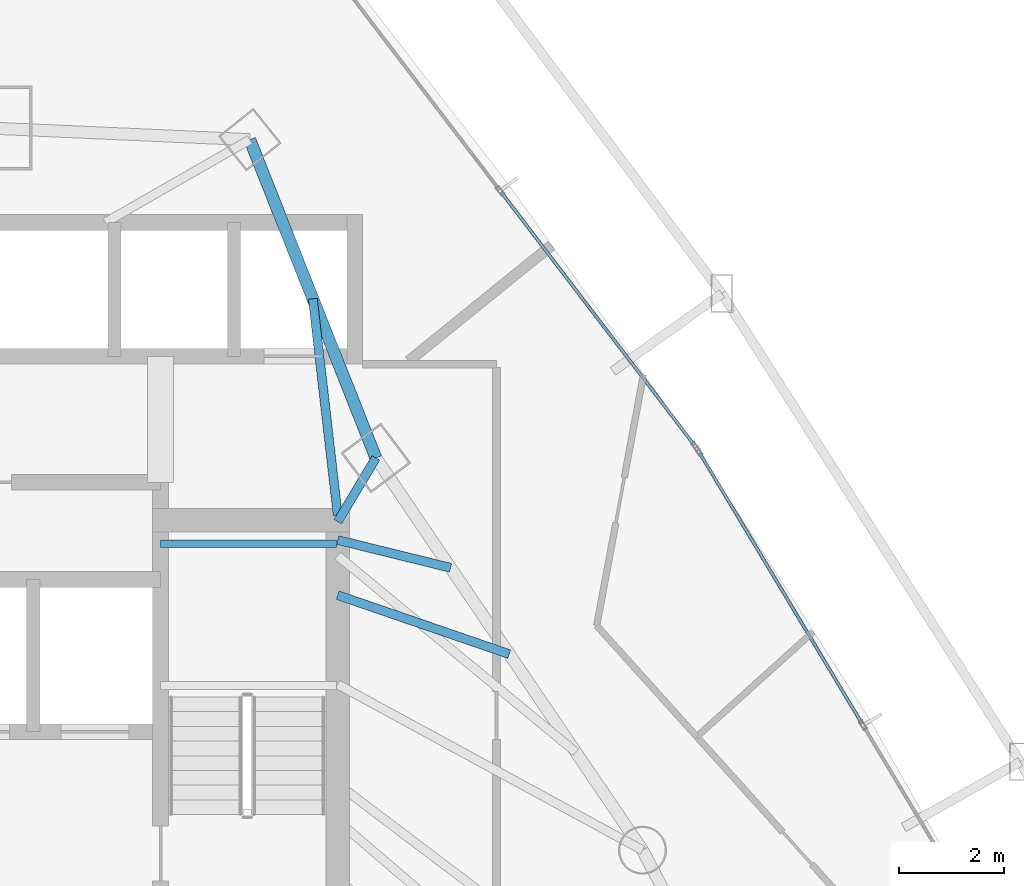
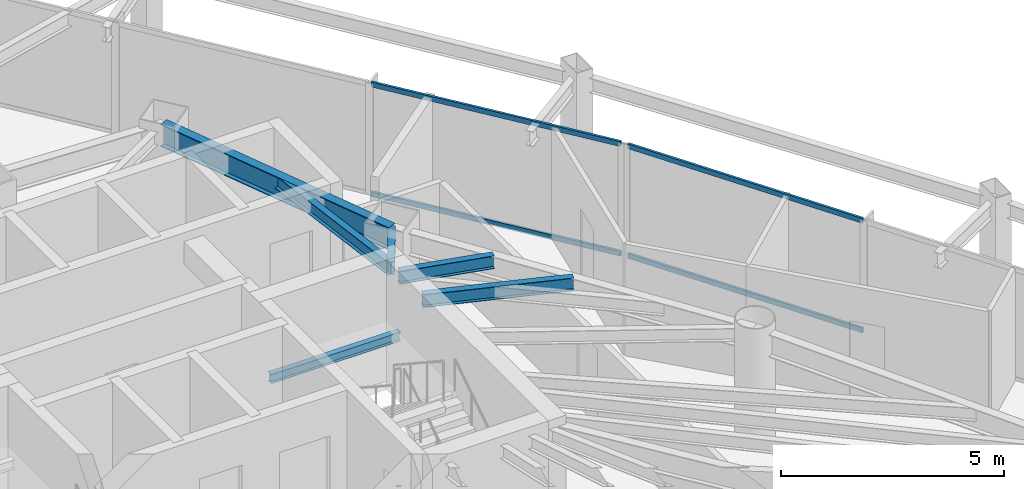
# One storey, part 25 of 34: 6 beams, 4 members, 2 elements without a shape of their own.
"""IFC4 building model written with IfcOpenShell, lengths in metres."""

from ifc_helpers import new_model, si_unit, direction, frame, origin, origin_2d, place, context, subcontext, project, spatial, hollow_rectangle, i_section, extrude, material, layer, layer_set, material_profile, profile_set, type_object, element, aggregate, save


model = new_model("IFC4")

# Units and contexts
model_context = context("Model", 3, precision=1e-05, world=origin(), true_north=direction((0.0, 1.0)))
body_context = subcontext(model_context, "Body", "Model", "MODEL_VIEW")
ifc_project = project(units=[si_unit("LENGTHUNIT", "METRE"), si_unit("AREAUNIT", "SQUARE_METRE"), si_unit("VOLUMEUNIT", "CUBIC_METRE"), si_unit("PLANEANGLEUNIT", "RADIAN"), si_unit("MASSUNIT", "GRAM", prefix="KILO")], contexts=[model_context])

# Site, building, storey
site_placement = place(None, origin())
site = spatial("IfcSite", under=ifc_project, at=site_placement, CompositionType="ELEMENT")
building_placement = place(site_placement, origin())
building = spatial("IfcBuilding", under=site, at=building_placement, Name="Orvanel Arch Residences", CompositionType="ELEMENT")
storey_placement = place(building_placement, frame((0.0, 0.0, 77.449951171875)))
storey = spatial("IfcBuildingStorey", under=building, at=storey_placement, Name="L21", CompositionType="ELEMENT", Elevation=77.449951171875)

# Beams
ifc_material_1 = material(Name="Structural steel AS/NZS 3679.1 Grade 300 (300 MPa)", Category="steel")
ifc_material_profile_1 = material_profile(ifc_material_1, i_section(OverallWidth=0.14599609375, OverallDepth=0.251953125, WebThickness=0.006103515625, FlangeThickness=0.008544921875, at=origin_2d()), Name="250UB31.4")
ifc_profile_set_1 = profile_set([ifc_material_profile_1], Name="Structural steel AS/NZS 3679.1 Grade 300 (300 MPa)")
beam_type_1 = type_object("IfcBeamType", Name="BJ-250UB", PredefinedType="JOIST", material=ifc_profile_set_1)
beam_1_placement = place(storey_placement, frame((36.25, 33.47998046875, 1.323974609375), z_axis=(1.0, 0.0, 0.0), x_axis=(0.0, 1.0, 0.0)))
element("IfcBeam", 1, at=beam_1_placement, inside=storey, type_object=beam_type_1, Name="L21 ST-2 Half-Landing Support Beam 1.2", PredefinedType="JOIST", context=body_context, shape_type="SweptSolid", body=[
    extrude(i_section(OverallWidth=0.14599609375, OverallDepth=0.251953125, WebThickness=0.006103515625, FlangeThickness=0.008544921875, at=origin_2d()), origin(), (0.0, 0.0, 1.0), 3.35009765625),
])
ifc_material_profile_2 = material_profile(ifc_material_1, i_section(OverallWidth=0.1708984375, OverallDepth=0.35595703125, WebThickness=0.00732421875, FlangeThickness=0.011474609375, at=origin_2d()), Name="360UB50.7")
ifc_profile_set_2 = profile_set([ifc_material_profile_2], Name="Structural steel AS/NZS 3679.1 Grade 300 (300 MPa)")
beam_type_2 = type_object("IfcBeamType", Name="BJ-360UB", PredefinedType="JOIST", material=ifc_profile_set_2)
beam_2_placement = place(storey_placement, frame((39.625, 33.89990234375, 2.882080078125), z_axis=(0.514064138778, 0.857751748015, 0.0), x_axis=(-0.857751748015, 0.514064138778, 0.0)))
element("IfcBeam", 2, at=beam_2_placement, inside=storey, type_object=beam_type_2, Name="L21 NNE Wing Floor Joist", PredefinedType="JOIST", context=body_context, shape_type="SweptSolid", body=[
    extrude(i_section(OverallWidth=0.1708984375, OverallDepth=0.35595703125, WebThickness=0.00732421875, FlangeThickness=0.011474609375, at=origin_2d()), origin(), (0.0, 0.0, 1.0), 1.414306640625),
])
beam_3_placement = place(storey_placement, frame((39.625, 34.02001953125, 2.882080078125), z_axis=(-0.114186670431, 0.993459311847, 0.0), x_axis=(-0.993459311847, -0.114186670431, 0.0)))
element("IfcBeam", 3, at=beam_3_placement, inside=storey, type_object=beam_type_2, Name="L21 NNE2 Wing Floor Joist", PredefinedType="JOIST", context=body_context, shape_type="SweptSolid", body=[
    extrude(i_section(OverallWidth=0.1708984375, OverallDepth=0.35595703125, WebThickness=0.00732421875, FlangeThickness=0.011474609375, at=origin_2d()), origin(), (0.0, 0.0, 1.0), 4.152099609375),
])
beam_4_placement = place(storey_placement, frame((39.625, 32.5, 2.882080078125), z_axis=(0.945658073701, -0.325162740247, 0.0), x_axis=(0.325162740247, 0.945658073701, 0.0)))
element("IfcBeam", 4, at=beam_4_placement, inside=storey, type_object=beam_type_2, Name="L21 ENE Wing Floor Joist", PredefinedType="JOIST", context=body_context, shape_type="SweptSolid", body=[
    extrude(i_section(OverallWidth=0.1708984375, OverallDepth=0.35595703125, WebThickness=0.00732421875, FlangeThickness=0.011474609375, at=origin_2d()), origin(), (0.0, 0.0, 1.0), 3.453857421875),
])
beam_5_placement = place(storey_placement, frame((39.625, 33.550048828125, 2.882080078125), z_axis=(0.971005818547, -0.239055851942, 0.0), x_axis=(0.239055851942, 0.971005818547, 0.0)))
element("IfcBeam", 5, at=beam_5_placement, inside=storey, type_object=beam_type_2, Name="L21 JADD4 Wing Floor Joist", PredefinedType="JOIST", context=body_context, shape_type="SweptSolid", body=[
    extrude(i_section(OverallWidth=0.1708984375, OverallDepth=0.35595703125, WebThickness=0.00732421875, FlangeThickness=0.011474609375, at=origin_2d()), origin(), (0.0, 0.0, 1.0), 2.213134765625),
])
ifc_material_profile_3 = material_profile(ifc_material_1, i_section(OverallWidth=0.22900390625, OverallDepth=0.612060546875, WebThickness=0.011962890625, FlangeThickness=0.01953125, at=origin_2d()), Name="610UB125")
ifc_profile_set_3 = profile_set([ifc_material_profile_3], Name="Structural steel AS/NZS 3679.1 Grade 300 (300 MPa)")
beam_type_3 = type_object("IfcBeamType", Name="SP-610UB", PredefinedType="SPANDREL", material=ifc_profile_set_3)
beam_6_placement = place(storey_placement, frame((40.35205078125, 35.113037109375, 2.754150390625), z_axis=(-0.368233143579, 0.929733484376, 0.0), x_axis=(-0.929733484376, -0.368233143579, 0.0)))
element("IfcBeam", 6, at=beam_6_placement, inside=storey, type_object=beam_type_3, Name="L21 Perimeter Spandrel Beam 15", PredefinedType="SPANDREL", context=body_context, shape_type="SweptSolid", body=[
    extrude(i_section(OverallWidth=0.22900390625, OverallDepth=0.612060546875, WebThickness=0.011962890625, FlangeThickness=0.01953125, at=origin_2d()), origin(), (0.0, 0.0, 1.0), 6.523193359375),
])

# Curtain wall, members
ifc_material_2 = material(Name="Bronze-anodised aluminium AA6063-T6", Category="aluminium")
ifc_layer = layer(ifc_material_2, 0.179931640625)
ifc_layer_set = layer_set([ifc_layer], Name="Bronze-anodised aluminium AA6063-T6")
curtain_wall_type = type_object("IfcCurtainWallType", Name="CW2-LOW-SYS", PredefinedType="NOTDEFINED", material=ifc_layer_set)
curtain_wall_1_placement = place(storey_placement, origin())
curtain_wall_1 = element("IfcCurtainWall", 7, at=curtain_wall_1_placement, inside=storey, type_object=curtain_wall_type, Name="L21 CW2-LOW-SYS Unitised Curtain Wall", PredefinedType="NOTDEFINED")
ifc_material_profile_4 = material_profile(ifc_material_2, hollow_rectangle(XDim=0.06005859375, YDim=0.135009765625, WallThickness=0.00390625, at=origin_2d()), Name="ALU135x60x4")
ifc_profile_set_4 = profile_set([ifc_material_profile_4], Name="Bronze-anodised aluminium AA6063-T6")
member_type = type_object("IfcMemberType", Name="TRN-135x60", PredefinedType="USERDEFINED", material=ifc_profile_set_4)
member_1_placement = place(storey_placement, frame((49.614013671875, 30.051025390625, 0.030029296875), z_axis=(-0.514400245764, 0.857550224277, 0.0), x_axis=(-0.857550224277, -0.514400245764, 0.0)))
member_1 = element("IfcMember", 8, at=member_1_placement, type_object=member_type, Name="CW-S2 transom 2.1", ObjectType="TRANSOM", PredefinedType="USERDEFINED", context=body_context, shape_type="SweptSolid", body=[
    extrude(hollow_rectangle(XDim=0.06005859375, YDim=0.135009765625, WallThickness=0.00390625, at=origin_2d()), origin(), (0.0, 0.0, 1.0), 6.0146484375),
])
member_2_placement = place(storey_placement, frame((49.614013671875, 30.051025390625, 3.030029296875), z_axis=(-0.514400245764, 0.857550224277, 0.0), x_axis=(-0.857550224277, -0.514400245764, 0.0)))
member_2 = element("IfcMember", 9, at=member_2_placement, type_object=member_type, Name="CW-S2 transom 2.2", ObjectType="TRANSOM", PredefinedType="USERDEFINED", context=body_context, shape_type="SweptSolid", body=[
    extrude(hollow_rectangle(XDim=0.06005859375, YDim=0.135009765625, WallThickness=0.00390625, at=origin_2d()), origin(), (0.0, 0.0, 1.0), 6.0146484375),
])
aggregate(curtain_wall_1, [member_1, member_2])

curtain_wall_2_placement = place(storey_placement, origin())
curtain_wall_2 = element("IfcCurtainWall", 10, at=curtain_wall_2_placement, inside=storey, type_object=curtain_wall_type, Name="L21 CW2-LOW-SYS Unitised Curtain Wall", PredefinedType="NOTDEFINED")
member_3_placement = place(storey_placement, frame((46.41943359375, 35.357666015625, 0.030029296875), z_axis=(-0.606952007069, 0.794738485991, 0.0), x_axis=(-0.794738485991, -0.606952007069, 0.0)))
member_3 = element("IfcMember", 11, at=member_3_placement, type_object=member_type, Name="CW-S2 transom 1.1", ObjectType="TRANSOM", PredefinedType="USERDEFINED", context=body_context, shape_type="SweptSolid", body=[
    extrude(hollow_rectangle(XDim=0.06005859375, YDim=0.135009765625, WallThickness=0.00390625, at=origin_2d()), origin(), (0.0, 0.0, 1.0), 6.059814453125),
])
member_4_placement = place(storey_placement, frame((46.41943359375, 35.357666015625, 3.030029296875), z_axis=(-0.606952007069, 0.794738485991, 0.0), x_axis=(-0.794738485991, -0.606952007069, 0.0)))
member_4 = element("IfcMember", 12, at=member_4_placement, type_object=member_type, Name="CW-S2 transom 1.2", ObjectType="TRANSOM", PredefinedType="USERDEFINED", context=body_context, shape_type="SweptSolid", body=[
    extrude(hollow_rectangle(XDim=0.06005859375, YDim=0.135009765625, WallThickness=0.00390625, at=origin_2d()), origin(), (0.0, 0.0, 1.0), 6.059814453125),
])
aggregate(curtain_wall_2, [member_3, member_4])

save(model, "model.ifc")
